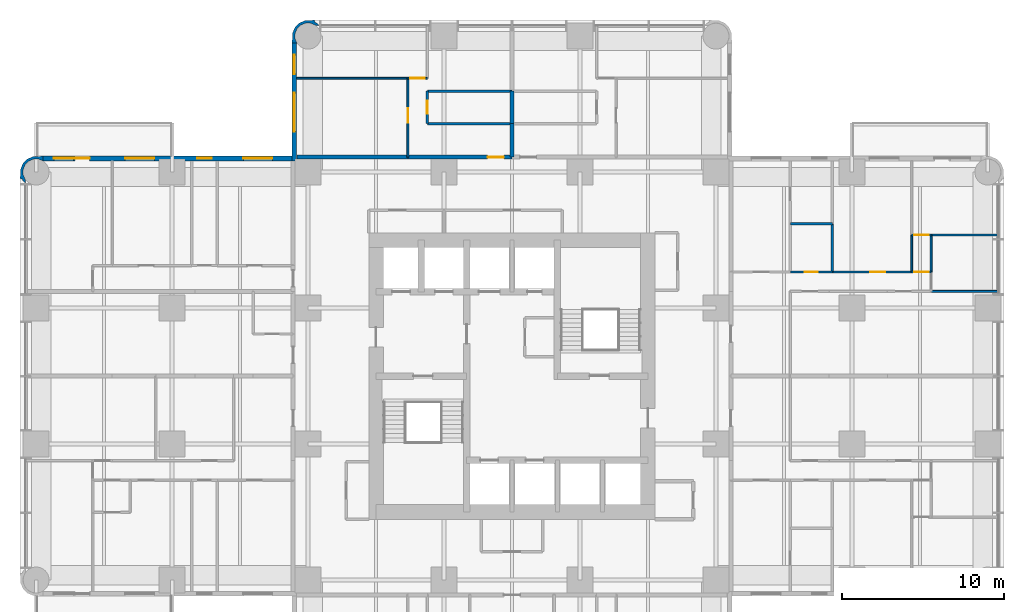
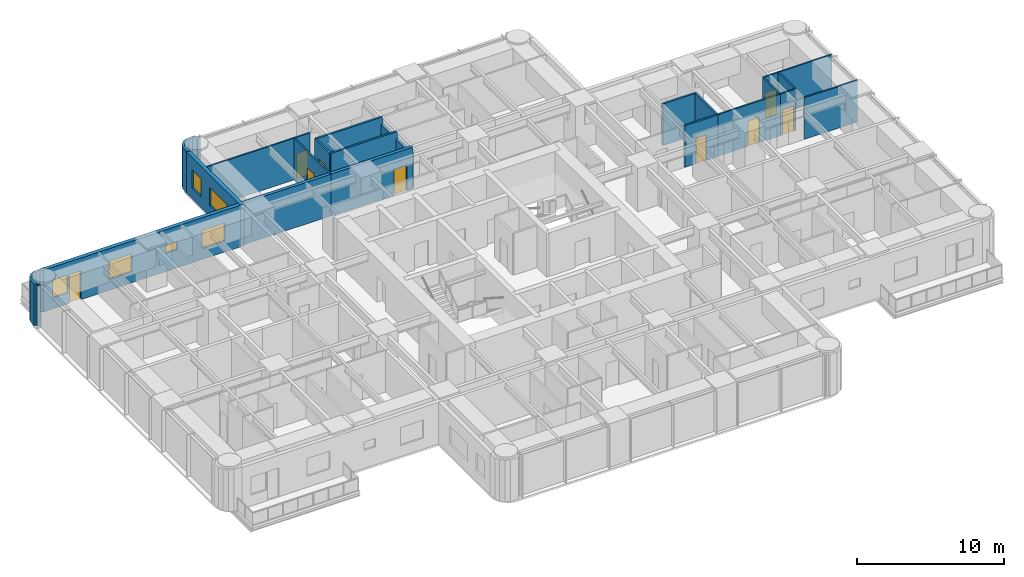
# One storey, part 11 of 15: 24 walls, 9 doors, 6 windows, 15 openings.
"""IFC4 building model written with IfcOpenShell, lengths in metres."""

import ifcopenshell
import ifcopenshell.guid

model = None  # the IFC model being written
_history = None  # IfcOwnerHistory: only IFC2X3 demands one
_inside = {}  # id of a spatial element -> (the spatial element, [elements in it])
_under = {}  # id of a project, library or spatial element -> (it, [spatial elements below it])
_declared = {}  # id of a project -> (the project, [libraries it declares])
_typed = {}  # id of a type object -> (the type object, [elements of that type])
_made_of = {}  # id of a material, layer set ... -> (it, [elements and type objects made of it])


def new_model(schema):
    """Start an empty IFC model of exactly this schema.

    Asked for "IFC4X3", IfcOpenShell would pick the latest addendum, in which some entities
    have other attributes; the version numbers below select the first issue.
    IFC2X3 requires an IfcOwnerHistory on every rooted entity: one is made here for all.
    """
    global model, _history
    if schema == "IFC4X3":
        model = ifcopenshell.file(schema_version=(4, 3, 0, 0))
    else:
        model = ifcopenshell.file(schema=schema)
    _inside.clear()
    _under.clear()
    _declared.clear()
    _typed.clear()
    _made_of.clear()
    _history = None
    if model.schema == "IFC2X3":
        org = make("IfcOrganization", Name="unknown")
        user = make(
            "IfcPersonAndOrganization",
            ThePerson=make("IfcPerson", FamilyName="unknown"),
            TheOrganization=org,
        )
        app = make(
            "IfcApplication",
            ApplicationDeveloper=org,
            Version="unknown",
            ApplicationFullName="unknown",
            ApplicationIdentifier="unknown",
        )
        _history = make(
            "IfcOwnerHistory",
            OwningUser=user,
            OwningApplication=app,
            ChangeAction="ADDED",
            CreationDate=0,
        )
    return model


def make(cls, **values):
    """One entity of the class cls with the attributes given. An attribute that is None is left unset."""
    return model.create_entity(
        cls, **{name: value for name, value in values.items() if value is not None}
    )


def rooted(cls, **values):
    """An entity with a GlobalId (a new one), such as an element, a storey or a relation."""
    return make(cls, GlobalId=ifcopenshell.guid.new(), OwnerHistory=_history, **values)


def si_unit(unit_type, name, prefix=None):
    """IfcSIUnit, for example si_unit("LENGTHUNIT", "METRE", prefix="MILLI")."""
    return make("IfcSIUnit", UnitType=unit_type, Prefix=prefix, Name=name)


def assignment(units):
    """IfcUnitAssignment: the units of a project."""
    return None if units is None else make("IfcUnitAssignment", Units=units)


def point(xyz):
    """IfcCartesianPoint."""
    return None if xyz is None else make("IfcCartesianPoint", Coordinates=xyz)


def direction(xyz):
    """IfcDirection."""
    return None if xyz is None else make("IfcDirection", DirectionRatios=xyz)


def frame(location, z_axis=None, x_axis=None):
    """IfcAxis2Placement3D, a coordinate frame: its origin and axes. An axis left out is left unset."""
    return make(
        "IfcAxis2Placement3D",
        Location=point(location),
        Axis=direction(z_axis),
        RefDirection=direction(x_axis),
    )


def frame_2d(location, x_axis=None):
    """IfcAxis2Placement2D, a coordinate frame in the plane: its origin and x axis."""
    return make(
        "IfcAxis2Placement2D", Location=point(location), RefDirection=direction(x_axis)
    )


def origin():
    """The frame at (0, 0, 0) with its axes left unset."""
    return frame((0.0, 0.0, 0.0))


def place(relative_to, where):
    """IfcLocalPlacement: puts the frame where relative to a parent placement (None: the world)."""
    return make(
        "IfcLocalPlacement", PlacementRelTo=relative_to, RelativePlacement=where
    )


def context(
    kind, dimensions, precision=None, world=None, true_north=None, identifier=None
):
    """IfcGeometricRepresentationContext, for example the 3D "Model" context."""
    return make(
        "IfcGeometricRepresentationContext",
        ContextIdentifier=identifier,
        ContextType=kind,
        CoordinateSpaceDimension=dimensions,
        Precision=precision,
        WorldCoordinateSystem=world,
        TrueNorth=true_north,
    )


def subcontext(parent, identifier, kind, view, scale=None):
    """IfcGeometricRepresentationSubContext, for example "Body" below "Model"."""
    return make(
        "IfcGeometricRepresentationSubContext",
        ContextIdentifier=identifier,
        ContextType=kind,
        ParentContext=parent,
        TargetScale=scale,
        TargetView=view,
    )


def project(units=None, contexts=None):
    """IfcProject with its units and contexts."""
    return rooted(
        "IfcProject",
        Name="project",
        RepresentationContexts=contexts,
        UnitsInContext=assignment(units),
    )


def spatial(cls, under=None, at=None, **own):
    """A site, building, storey or space (cls), placed at a placement, below another one or the project."""
    s = rooted(cls, ObjectPlacement=at, **own)
    if under is not None:
        _under.setdefault(under.id(), (under, []))[1].append(s)
    return s


def polyline(points):
    """IfcPolyline through the points."""
    return make("IfcPolyline", Points=[point(p) for p in points])


def profile(cls, at=None, kind="AREA", **sizes):
    """A parametric profile (cls). Its sizes go by their IFC names, for example OverallWidth=200.0."""
    return make(cls, ProfileType=kind, Position=at, **sizes)


def rectangle(**sizes):
    """IfcRectangleProfileDef."""
    return profile("IfcRectangleProfileDef", **sizes)


def outline(outer, holes=None, kind="AREA"):
    """IfcArbitraryClosedProfileDef: a profile drawn as a closed curve; with holes, ...WithVoids."""
    if holes is None:
        return make("IfcArbitraryClosedProfileDef", ProfileType=kind, OuterCurve=outer)
    return make(
        "IfcArbitraryProfileDefWithVoids",
        ProfileType=kind,
        OuterCurve=outer,
        InnerCurves=holes,
    )


def extrude(swept, where, along, depth):
    """IfcExtrudedAreaSolid: the profile swept, set in the frame where, extruded along a direction by depth."""
    return make(
        "IfcExtrudedAreaSolid",
        SweptArea=swept,
        Position=where,
        ExtrudedDirection=direction(along),
        Depth=depth,
    )


def shape(context_of_items, identifier, shape_type, items):
    """IfcShapeRepresentation: the items that make up one representation, for example the "Body"."""
    return make(
        "IfcShapeRepresentation",
        ContextOfItems=context_of_items,
        RepresentationIdentifier=identifier,
        RepresentationType=shape_type,
        Items=items,
    )


def material(Name=None, Category=None):
    """IfcMaterial."""
    return make("IfcMaterial", Name=Name, Category=Category)


def layer(
    of_material, thickness, ventilated=None, Name=None, Category=None, Priority=None
):
    """IfcMaterialLayer: one layer of a wall or slab, of a material (None: an air gap)."""
    return make(
        "IfcMaterialLayer",
        Material=of_material,
        LayerThickness=thickness,
        IsVentilated=ventilated,
        Name=Name,
        Category=Category,
        Priority=Priority,
    )


def layer_set(layers, Name=None):
    """IfcMaterialLayerSet."""
    return make("IfcMaterialLayerSet", MaterialLayers=layers, LayerSetName=Name)


def made_of(thing, what):
    """Note that an element or type object is made of a material, layer set ...; save() writes the relation."""
    if what is not None:
        _made_of.setdefault(what.id(), (what, []))[1].append(thing)
    return thing


def type_object(cls, material=None, **own):
    """A type object (cls), such as IfcWallType, which elements share."""
    return made_of(rooted(cls, **own), material)


def element(
    cls,
    number,
    at=None,
    inside=None,
    cuts=None,
    type_object=None,
    material=None,
    context=None,
    identifier="Body",
    shape_type=None,
    held_by="IfcProductDefinitionShape",
    body=None,
    shapes=None,
    **own,
):
    """One element of the class cls, such as IfcWall. Its Tag is "e" and its number.

    at: its placement. inside: the storey or other place that contains it. cuts: it is an
    opening in that element (IfcRelVoidsElement). A single representation is given by context,
    identifier, shape_type and body (its items); several are given by shapes. held_by: the class
    of the entity that holds the representations. save() writes the other relations.
    """
    e = rooted(cls, Tag="e%d" % number, ObjectPlacement=at, **own)
    if body is not None:
        shapes = [shape(context, identifier, shape_type, body)]
    if shapes is not None:
        e.Representation = make(held_by, Representations=shapes)
    if inside is not None:
        _inside.setdefault(inside.id(), (inside, []))[1].append(e)
    if cuts is not None:
        rooted(
            "IfcRelVoidsElement", RelatingBuildingElement=cuts, RelatedOpeningElement=e
        )
    if type_object is not None:
        _typed.setdefault(type_object.id(), (type_object, []))[1].append(e)
    return made_of(e, material)


def fill(opening, filler):
    """IfcRelFillsElement: the door or window that sits in an opening."""
    return rooted(
        "IfcRelFillsElement",
        RelatingOpeningElement=opening,
        RelatedBuildingElement=filler,
    )


def aggregate(whole, parts):
    """IfcRelAggregates: a whole, such as a stair, and the parts it consists of."""
    return rooted("IfcRelAggregates", RelatingObject=whole, RelatedObjects=parts)


def save(model, path):
    """Write the relations noted so far, then the file.

    IfcRelAggregates (storeys below a building ...), IfcRelContainedInSpatialStructure (elements
    in a storey), IfcRelDefinesByType, IfcRelAssociatesMaterial and IfcRelDeclares: one each for
    every whole, place, type object, material and project.
    """
    for whole, parts in _under.values():
        aggregate(whole, parts)
    for where, things in _inside.values():
        rooted(
            "IfcRelContainedInSpatialStructure",
            RelatedElements=things,
            RelatingStructure=where,
        )
    for kind, things in _typed.values():
        rooted("IfcRelDefinesByType", RelatedObjects=things, RelatingType=kind)
    for what, things in _made_of.values():
        rooted("IfcRelAssociatesMaterial", RelatedObjects=things, RelatingMaterial=what)
    for by, libraries in _declared.values():
        rooted("IfcRelDeclares", RelatingContext=by, RelatedDefinitions=libraries)
    model.write(path)


model = new_model("IFC4")

# Units and contexts
model_context = context("Model", 3, precision=1e-05, world=origin(), true_north=direction((0.0, 1.0)))
body_context = subcontext(model_context, "Body", "Model", "MODEL_VIEW")
ifc_project = project(units=[si_unit("LENGTHUNIT", "METRE"), si_unit("AREAUNIT", "SQUARE_METRE"), si_unit("VOLUMEUNIT", "CUBIC_METRE"), si_unit("PLANEANGLEUNIT", "RADIAN"), si_unit("MASSUNIT", "GRAM", prefix="KILO")], contexts=[model_context])

# Site, building, storey
site_placement = place(None, origin())
site = spatial("IfcSite", under=ifc_project, at=site_placement, CompositionType="ELEMENT")
building_placement = place(site_placement, origin())
building = spatial("IfcBuilding", under=site, at=building_placement, Name="Torre Alcanfor", CompositionType="ELEMENT")
storey_placement = place(building_placement, frame((0.0, 0.0, 119.699951171875)))
storey = spatial("IfcBuildingStorey", under=building, at=storey_placement, Name="L30", CompositionType="ELEMENT", Elevation=119.699951171875)

# Wall, opening, door
ifc_material_1 = material(Name="Concrete block masonry, hollow blocks NMX-C-404 9 MPa", Category="masonry")
ifc_layer_1 = layer(ifc_material_1, 0.25)
ifc_layer_set_1 = layer_set([ifc_layer_1], Name="Apartment entrance wall 250 EI 60")
wall_type_1 = type_object("IfcWallType", Name="Apartment entrance wall 250 EI 60", PredefinedType="PARTITIONING", material=ifc_layer_set_1)
wall_1_placement = place(storey_placement, frame((22.970947265625, 42.925048828125, 0.0), z_axis=(0.0, 0.0, 1.0), x_axis=(1.0, 0.0, 0.0)))
wall_1 = element("IfcWall", 1, at=wall_1_placement, inside=storey, type_object=wall_type_1, Name="Partition L30-CORR / L30-N1-LIVING", PredefinedType="PARTITIONING", context=body_context, shape_type="SweptSolid", body=[
    extrude(rectangle(XDim=6.428955078125, YDim=0.25, at=frame_2d((3.21435546875, 0.0))), origin(), (0.0, 0.0, 1.0), 3.449951171875),
])
opening_1_placement = place(wall_1_placement, frame((4.928955078125, 0.0, 0.0)))
opening_1 = element("IfcOpeningElement", 2, at=opening_1_placement, cuts=wall_1, Name="Opening D-A1", PredefinedType="OPENING", context=body_context, shape_type="SweptSolid", body=[
    extrude(rectangle(XDim=1.0, YDim=2.10009765625, at=frame_2d((0.5, 1.050048828125))), frame((0.0, 0.135009765625, 0.0), z_axis=(0.0, -1.0, 0.0), x_axis=(1.0, 0.0, 0.0)), (0.0, 0.0, 1.0), 0.27001953125),
])
ifc_material_2 = material(Name="Galvanised steel sheet ASTM A653", Category="steel")
door_type_1 = type_object("IfcDoorType", Name="Apartment entrance door FD60 1000x2100", OperationType="SINGLE_SWING_LEFT", PredefinedType="DOOR", material=ifc_material_2)
door_1_placement = place(opening_1_placement, origin())
door_1 = element("IfcDoor", 3, at=door_1_placement, inside=storey, type_object=door_type_1, Name="Apartment entrance L30-N1", OperationType="SINGLE_SWING_RIGHT", OverallHeight=2.10009765625, OverallWidth=1.0, PredefinedType="DOOR", context=body_context, shape_type="SweptSolid", body=[
    extrude(rectangle(XDim=1.0, YDim=2.10009765625, at=frame_2d((0.5, 1.050048828125))), frame((0.0, 0.02490234375, 0.0), z_axis=(0.0, -1.0, 0.0), x_axis=(1.0, 0.0, 0.0)), (0.0, 0.0, 1.0), 0.050048828125),
])
fill(opening_1, door_1)

# Wall
wall_2_placement = place(storey_placement, frame((16.10009765625, 42.925048828125, 0.0), z_axis=(0.0, 0.0, 1.0), x_axis=(1.0, 0.0, 0.0)))
element("IfcWall", 4, at=wall_2_placement, inside=storey, type_object=wall_type_1, Name="Partition L30-CORR / L30-N1-BED2", PredefinedType="PARTITIONING", context=body_context, shape_type="SweptSolid", body=[
    extrude(rectangle(XDim=6.870849609375, YDim=0.25, at=frame_2d((3.435546875, 0.0))), origin(), (0.0, 0.0, 1.0), 3.449951171875),
])

# Wall, opening, door
ifc_material_3 = material(Name="Gypsum board on steel studs", Category="steel")
ifc_layer_2 = layer(ifc_material_3, 0.1201171875)
ifc_layer_set_2 = layer_set([ifc_layer_2], Name="Apartment partition 120")
wall_type_2 = type_object("IfcWallType", Name="Apartment partition 120", PredefinedType="PARTITIONING", material=ifc_layer_set_2)
wall_3_placement = place(storey_placement, frame((22.970947265625, 42.925048828125, 0.0), z_axis=(0.0, 0.0, 1.0), x_axis=(0.0, 1.0, 0.0)))
wall_3 = element("IfcWall", 5, at=wall_3_placement, inside=storey, type_object=wall_type_2, Name="Partition L30-N1-LIVING / L30-N1-BED2", PredefinedType="PARTITIONING", context=body_context, shape_type="SweptSolid", body=[
    extrude(rectangle(XDim=4.875, YDim=0.1201171875, at=frame_2d((2.4375, 0.0))), origin(), (0.0, 0.0, 1.0), 3.449951171875),
])
opening_2_placement = place(wall_3_placement, frame((2.125, 0.0, 0.0)))
opening_2 = element("IfcOpeningElement", 6, at=opening_2_placement, cuts=wall_3, Name="Opening D-R1", PredefinedType="OPENING", context=body_context, shape_type="SweptSolid", body=[
    extrude(rectangle(XDim=0.89990234375, YDim=2.10009765625, at=frame_2d((0.449951171875, 1.050048828125))), frame((0.0, 0.070068359375, 0.0), z_axis=(0.0, -1.0, 0.0), x_axis=(1.0, 0.0, 0.0)), (0.0, 0.0, 1.0), 0.14013671875),
])
ifc_material_4 = material(Name="Timber", Category="wood")
door_type_2 = type_object("IfcDoorType", Name="Internal door 900x2100", OperationType="SINGLE_SWING_LEFT", PredefinedType="DOOR", material=ifc_material_4)
door_2_placement = place(opening_2_placement, origin())
door_2 = element("IfcDoor", 7, at=door_2_placement, inside=storey, type_object=door_type_2, Name="Door L30-N1 bed2", OperationType="SINGLE_SWING_RIGHT", OverallHeight=2.10009765625, OverallWidth=0.89990234375, PredefinedType="DOOR", context=body_context, shape_type="SweptSolid", body=[
    extrude(rectangle(XDim=0.89990234375, YDim=2.10009765625, at=frame_2d((0.449951171875, 1.050048828125))), frame((0.0, 0.02490234375, 0.0), z_axis=(0.0, -1.0, 0.0), x_axis=(1.0, 0.0, 0.0)), (0.0, 0.0, 1.0), 0.050048828125),
])
fill(opening_2, door_2)

wall_4_placement = place(storey_placement, frame((22.970947265625, 47.800048828125, 0.0), z_axis=(0.0, 0.0, 1.0), x_axis=(1.0, 0.0, 0.0)))
wall_4 = element("IfcWall", 8, at=wall_4_placement, inside=storey, type_object=wall_type_2, Name="Partition L30-N1-LIVING / L30-N1-MASTER", PredefinedType="PARTITIONING", context=body_context, shape_type="SweptSolid", body=[
    extrude(rectangle(XDim=1.199951171875, YDim=0.1201171875, at=frame_2d((0.60009765625, 0.0))), origin(), (0.0, 0.0, 1.0), 3.449951171875),
])
opening_3_placement = place(wall_4_placement, frame((0.14892578125, 0.0, 0.0)))
opening_3 = element("IfcOpeningElement", 9, at=opening_3_placement, cuts=wall_4, Name="Opening D-R1", PredefinedType="OPENING", context=body_context, shape_type="SweptSolid", body=[
    extrude(rectangle(XDim=0.89990234375, YDim=2.10009765625, at=frame_2d((0.449951171875, 1.050048828125))), frame((0.0, 0.070068359375, 0.0), z_axis=(0.0, -1.0, 0.0), x_axis=(1.0, 0.0, 0.0)), (0.0, 0.0, 1.0), 0.14013671875),
])
door_3_placement = place(opening_3_placement, origin())
door_3 = element("IfcDoor", 10, at=door_3_placement, inside=storey, type_object=door_type_2, Name="Door L30-N1 master", OperationType="SINGLE_SWING_RIGHT", OverallHeight=2.10009765625, OverallWidth=0.89990234375, PredefinedType="DOOR", context=body_context, shape_type="SweptSolid", body=[
    extrude(rectangle(XDim=0.89990234375, YDim=2.10009765625, at=frame_2d((0.449951171875, 1.050048828125))), frame((0.0, 0.02490234375, 0.0), z_axis=(0.0, -1.0, 0.0), x_axis=(1.0, 0.0, 0.0)), (0.0, 0.0, 1.0), 0.050048828125),
])
fill(opening_3, door_3)

# Walls
wall_5_placement = place(storey_placement, frame((22.970947265625, 47.800048828125, 0.0), z_axis=(0.0, 0.0, 1.0), x_axis=(-1.0, 0.0, 0.0)))
element("IfcWall", 11, at=wall_5_placement, inside=storey, type_object=wall_type_2, Name="Partition L30-N1-BED2 / L30-N1-MASTER", PredefinedType="PARTITIONING", context=body_context, shape_type="SweptSolid", body=[
    extrude(rectangle(XDim=6.870849609375, YDim=0.1201171875, at=frame_2d((3.435546875, 0.0))), origin(), (0.0, 0.0, 1.0), 3.449951171875),
])
wall_6_placement = place(storey_placement, frame((59.449951171875, 34.62890625, 0.0), z_axis=(0.0, 0.0, 1.0), x_axis=(-1.0, 0.0, 0.0)))
element("IfcWall", 12, at=wall_6_placement, inside=storey, type_object=wall_type_2, Name="Partition L30-E1-LIVING / L30-E1-BED2", PredefinedType="PARTITIONING", context=body_context, shape_type="SweptSolid", body=[
    extrude(rectangle(XDim=4.14990234375, YDim=0.1201171875, at=frame_2d((2.074951171875, 0.0))), origin(), (0.0, 0.0, 1.0), 3.449951171875),
])

# Wall, opening, door
wall_7_placement = place(storey_placement, frame((54.10009765625, 35.8291015625, 0.0), z_axis=(0.0, 0.0, 1.0), x_axis=(-1.0, 0.0, 0.0)))
wall_7 = element("IfcWall", 13, at=wall_7_placement, inside=storey, type_object=wall_type_2, Name="Partition L30-E1-HALL / L30-E1-BED3", PredefinedType="PARTITIONING", context=body_context, shape_type="SweptSolid", body=[
    extrude(rectangle(XDim=4.900146484375, YDim=0.1201171875, at=frame_2d((2.4501953125, 0.0))), origin(), (0.0, 0.0, 1.0), 3.449951171875),
])
opening_4_placement = place(wall_7_placement, frame((1.64990234375, 0.0, 0.0)))
opening_4 = element("IfcOpeningElement", 14, at=opening_4_placement, cuts=wall_7, Name="Opening D-R1", PredefinedType="OPENING", context=body_context, shape_type="SweptSolid", body=[
    extrude(rectangle(XDim=0.89990234375, YDim=2.10009765625, at=frame_2d((0.449951171875, 1.050048828125))), frame((0.0, 0.070068359375, 0.0), z_axis=(0.0, -1.0, 0.0), x_axis=(1.0, 0.0, 0.0)), (0.0, 0.0, 1.0), 0.14013671875),
])
door_4_placement = place(opening_4_placement, frame((0.89990234375, 0.0, 0.0), z_axis=(0.0, 0.0, 1.0), x_axis=(-1.0, 0.0, 0.0)))
door_4 = element("IfcDoor", 15, at=door_4_placement, inside=storey, type_object=door_type_2, Name="Door L30-E1 bed3", OperationType="SINGLE_SWING_RIGHT", OverallHeight=2.10009765625, OverallWidth=0.89990234375, PredefinedType="DOOR", context=body_context, shape_type="SweptSolid", body=[
    extrude(rectangle(XDim=0.89990234375, YDim=2.10009765625, at=frame_2d((0.449951171875, 1.050048828125))), frame((0.0, 0.025146484375, 0.0), z_axis=(0.0, -1.0, 0.0), x_axis=(1.0, 0.0, 0.0)), (0.0, 0.0, 1.0), 0.050048828125),
])
fill(opening_4, door_4)

wall_8_placement = place(storey_placement, frame((55.300048828125, 35.8291015625, 0.0), z_axis=(0.0, 0.0, 1.0), x_axis=(-1.0, 0.0, 0.0)))
wall_8 = element("IfcWall", 16, at=wall_8_placement, inside=storey, type_object=wall_type_2, Name="Partition L30-E1-HALL / L30-E1-VEST", PredefinedType="PARTITIONING", context=body_context, shape_type="SweptSolid", body=[
    extrude(rectangle(XDim=1.199951171875, YDim=0.1201171875, at=frame_2d((0.60009765625, 0.0))), origin(), (0.0, 0.0, 1.0), 3.449951171875),
])
opening_5_placement = place(wall_8_placement, frame((0.14990234375, 0.0, 0.0)))
opening_5 = element("IfcOpeningElement", 17, at=opening_5_placement, cuts=wall_8, Name="Opening D-R1", PredefinedType="OPENING", context=body_context, shape_type="SweptSolid", body=[
    extrude(rectangle(XDim=0.89990234375, YDim=2.10009765625, at=frame_2d((0.449951171875, 1.050048828125))), frame((0.0, 0.070068359375, 0.0), z_axis=(0.0, -1.0, 0.0), x_axis=(1.0, 0.0, 0.0)), (0.0, 0.0, 1.0), 0.14013671875),
])
door_5_placement = place(opening_5_placement, frame((0.89990234375, 0.0, 0.0), z_axis=(0.0, 0.0, 1.0), x_axis=(-1.0, 0.0, 0.0)))
door_5 = element("IfcDoor", 18, at=door_5_placement, inside=storey, type_object=door_type_2, Name="Door L30-E1 vest", OperationType="SINGLE_SWING_RIGHT", OverallHeight=2.10009765625, OverallWidth=0.89990234375, PredefinedType="DOOR", context=body_context, shape_type="SweptSolid", body=[
    extrude(rectangle(XDim=0.89990234375, YDim=2.10009765625, at=frame_2d((0.449951171875, 1.050048828125))), frame((0.0, 0.025146484375, 0.0), z_axis=(0.0, -1.0, 0.0), x_axis=(1.0, 0.0, 0.0)), (0.0, 0.0, 1.0), 0.050048828125),
])
fill(opening_5, door_5)

# Walls
for number, where, z_axis, x_axis, name in (
    (19, (54.10009765625, 35.8291015625, 0.0), (0.0, 0.0, 1.0), (0.0, 1.0, 0.0), "Partition L30-E1-BED3 / L30-E1-VEST"),
    (20, (55.300048828125, 35.8291015625, 0.0), (0.0, 0.0, 1.0), (0.0, 1.0, 0.0), "Partition L30-E1-VEST / L30-E1-BED2"),
):
    element("IfcWall", number, at=place(storey_placement, frame(where, z_axis=z_axis, x_axis=x_axis)), inside=storey, type_object=wall_type_2, Name=name, PredefinedType="PARTITIONING", context=body_context, shape_type="SweptSolid", body=[
        extrude(rectangle(XDim=2.284912109375, YDim=0.1201171875, at=frame_2d((1.142578125, 0.0))), origin(), (0.0, 0.0, 1.0), 3.449951171875),
    ])

# Wall, opening, door
wall_9_placement = place(storey_placement, frame((55.300048828125, 38.114013671875, 0.0), z_axis=(0.0, 0.0, 1.0), x_axis=(-1.0, 0.0, 0.0)))
wall_9 = element("IfcWall", 21, at=wall_9_placement, inside=storey, type_object=wall_type_2, Name="Partition L30-E1-VEST / L30-E1-MASTER", PredefinedType="PARTITIONING", context=body_context, shape_type="SweptSolid", body=[
    extrude(rectangle(XDim=1.199951171875, YDim=0.1201171875, at=frame_2d((0.60009765625, 0.0))), origin(), (0.0, 0.0, 1.0), 3.449951171875),
])
opening_6_placement = place(wall_9_placement, frame((0.14990234375, 0.0, 0.0)))
opening_6 = element("IfcOpeningElement", 22, at=opening_6_placement, cuts=wall_9, Name="Opening D-R1", PredefinedType="OPENING", context=body_context, shape_type="SweptSolid", body=[
    extrude(rectangle(XDim=0.89990234375, YDim=2.10009765625, at=frame_2d((0.449951171875, 1.050048828125))), frame((0.0, 0.070068359375, 0.0), z_axis=(0.0, -1.0, 0.0), x_axis=(1.0, 0.0, 0.0)), (0.0, 0.0, 1.0), 0.14013671875),
])
door_6_placement = place(opening_6_placement, origin())
door_6 = element("IfcDoor", 23, at=door_6_placement, inside=storey, type_object=door_type_2, Name="Door L30-E1 master", OperationType="SINGLE_SWING_LEFT", OverallHeight=2.10009765625, OverallWidth=0.89990234375, PredefinedType="DOOR", context=body_context, shape_type="SweptSolid", body=[
    extrude(rectangle(XDim=0.89990234375, YDim=2.10009765625, at=frame_2d((0.449951171875, 1.050048828125))), frame((0.0, 0.02490234375, 0.0), z_axis=(0.0, -1.0, 0.0), x_axis=(1.0, 0.0, 0.0)), (0.0, 0.0, 1.0), 0.050048828125),
])
fill(opening_6, door_6)

# Wall
wall_10_placement = place(storey_placement, frame((59.449951171875, 38.114013671875, 0.0), z_axis=(0.0, 0.0, 1.0), x_axis=(-1.0, 0.0, 0.0)))
element("IfcWall", 24, at=wall_10_placement, inside=storey, type_object=wall_type_2, Name="Partition L30-E1-BED2 / L30-E1-MASTER", PredefinedType="PARTITIONING", context=body_context, shape_type="SweptSolid", body=[
    extrude(rectangle(XDim=4.14990234375, YDim=0.1201171875, at=frame_2d((2.074951171875, 0.0))), origin(), (0.0, 0.0, 1.0), 3.449951171875),
])

# Wall, openings, door, windows
ifc_material_5 = material(Name="Limestone cladding", Category="masonry")
ifc_layer_3 = layer(ifc_material_5, 0.0400390625, Name="Facing")
ifc_material_6 = material(Name="Ventilated air cavity")
ifc_layer_4 = layer(ifc_material_6, 0.02001953125, ventilated=True, Name="Ventilated joint")
ifc_material_7 = material(Name="Mineral wool insulation", Category="insulation")
ifc_layer_5 = layer(ifc_material_7, 0.10009765625, Name="Insulation")
ifc_material_8 = material(Name="Concrete f'c 35 MPa", Category="concrete")
ifc_layer_6 = layer(ifc_material_8, 0.139892578125, Name="Backing")
ifc_layer_set_3 = layer_set([ifc_layer_3, ifc_layer_4, ifc_layer_5, ifc_layer_6], Name="External wall stone-clad 300")
wall_type_3 = type_object("IfcWallType", Name="External wall stone-clad 300", PredefinedType="SOLIDWALL", material=ifc_layer_set_3)
wall_11_placement = place(storey_placement, frame((15.800048828125, 42.85009765625, 0.0), z_axis=(0.0, 0.0, 1.0), x_axis=(-1.0, 0.0, 0.0)))
wall_11 = element("IfcWall", 25, at=wall_11_placement, inside=storey, type_object=wall_type_3, Name="External wall L30 1", PredefinedType="SOLIDWALL", context=body_context, shape_type="SweptSolid", body=[
    extrude(rectangle(XDim=15.400146484375, YDim=0.300048828125, at=frame_2d((7.7001953125, 0.0))), origin(), (0.0, 0.0, 1.0), 3.449951171875),
])
opening_7_placement = place(wall_11_placement, frame((1.199951171875, 0.0, 0.89990234375)))
opening_7 = element("IfcOpeningElement", 26, at=opening_7_placement, cuts=wall_11, Name="Opening W2", PredefinedType="OPENING", context=body_context, shape_type="SweptSolid", body=[
    extrude(rectangle(XDim=1.800048828125, YDim=1.5, at=frame_2d((0.89990234375, 0.75))), frame((0.0, 0.159912109375, 0.0), z_axis=(0.0, -1.0, 0.0), x_axis=(1.0, 0.0, 0.0)), (0.0, 0.0, 1.0), 0.320068359375),
])
opening_8_placement = place(wall_11_placement, frame((4.949951171875, 0.0, 1.5)))
opening_8 = element("IfcOpeningElement", 27, at=opening_8_placement, cuts=wall_11, Name="Opening W3", PredefinedType="OPENING", context=body_context, shape_type="SweptSolid", body=[
    extrude(rectangle(XDim=0.89990234375, YDim=0.699951171875, at=frame_2d((0.449951171875, 0.35009765625))), frame((0.0, 0.159912109375, 0.0), z_axis=(0.0, -1.0, 0.0), x_axis=(1.0, 0.0, 0.0)), (0.0, 0.0, 1.0), 0.320068359375),
])
opening_9_placement = place(wall_11_placement, frame((8.5, 0.0, 0.89990234375)))
opening_9 = element("IfcOpeningElement", 28, at=opening_9_placement, cuts=wall_11, Name="Opening W2", PredefinedType="OPENING", context=body_context, shape_type="SweptSolid", body=[
    extrude(rectangle(XDim=1.800048828125, YDim=1.5, at=frame_2d((0.89990234375, 0.75))), frame((0.0, 0.159912109375, 0.0), z_axis=(0.0, -1.0, 0.0), x_axis=(1.0, 0.0, 0.0)), (0.0, 0.0, 1.0), 0.320068359375),
])
opening_10_placement = place(wall_11_placement, frame((12.5, 0.0, 0.0)))
opening_10 = element("IfcOpeningElement", 29, at=opening_10_placement, cuts=wall_11, Name="Opening D-B1", PredefinedType="OPENING", context=body_context, shape_type="SweptSolid", body=[
    extrude(rectangle(XDim=0.89990234375, YDim=2.39990234375, at=frame_2d((0.449951171875, 1.199951171875))), frame((0.0, 0.159912109375, 0.0), z_axis=(0.0, -1.0, 0.0), x_axis=(1.0, 0.0, 0.0)), (0.0, 0.0, 1.0), 0.320068359375),
])
opening_11_placement = place(wall_11_placement, frame((13.5, 0.0, 0.89990234375)))
opening_11 = element("IfcOpeningElement", 30, at=opening_11_placement, cuts=wall_11, Name="Opening W4", PredefinedType="OPENING", context=body_context, shape_type="SweptSolid", body=[
    extrude(rectangle(XDim=1.199951171875, YDim=1.5, at=frame_2d((0.60009765625, 0.75))), frame((0.0, 0.159912109375, 0.0), z_axis=(0.0, -1.0, 0.0), x_axis=(1.0, 0.0, 0.0)), (0.0, 0.0, 1.0), 0.320068359375),
])
ifc_material_9 = material(Name="Aluminium and glass", Category="aluminium")
door_type_3 = type_object("IfcDoorType", Name="Balcony door glazed 900x2400", OperationType="SINGLE_SWING_LEFT", PredefinedType="DOOR", material=ifc_material_9)
door_7_placement = place(opening_10_placement, origin())
door_7 = element("IfcDoor", 31, at=door_7_placement, inside=storey, type_object=door_type_3, Name="Balcony door L30-W2", OperationType="SINGLE_SWING_LEFT", OverallHeight=2.39990234375, OverallWidth=0.89990234375, PredefinedType="DOOR", context=body_context, shape_type="SweptSolid", body=[
    extrude(rectangle(XDim=0.89990234375, YDim=2.39990234375, at=frame_2d((0.449951171875, 1.199951171875))), frame((0.0, 0.02490234375, 0.0), z_axis=(0.0, -1.0, 0.0), x_axis=(1.0, 0.0, 0.0)), (0.0, 0.0, 1.0), 0.050048828125),
])
fill(opening_10, door_7)
ifc_material_10 = material(Name="Aluminium frame with clear double glazing", Category="aluminium")
window_type_1 = type_object("IfcWindowType", Name="Window bathroom 900x700", PartitioningType="SINGLE_PANEL", PredefinedType="WINDOW", material=ifc_material_10)
window_1_placement = place(opening_8_placement, origin())
window_1 = element("IfcWindow", 32, at=window_1_placement, inside=storey, type_object=window_type_1, Name="Window W3 L30-W2", OverallHeight=0.699951171875, OverallWidth=0.89990234375, PartitioningType="SINGLE_PANEL", PredefinedType="WINDOW", context=body_context, shape_type="SweptSolid", body=[
    extrude(rectangle(XDim=0.89990234375, YDim=0.699951171875, at=frame_2d((0.449951171875, 0.35009765625))), frame((0.0, 0.030029296875, 0.0), z_axis=(0.0, -1.0, 0.0), x_axis=(1.0, 0.0, 0.0)), (0.0, 0.0, 1.0), 0.06005859375),
])
fill(opening_8, window_1)
ifc_material_11 = material(Name="Aluminium frame with clear double glazing", Category="aluminium")
window_type_2 = type_object("IfcWindowType", Name="Window bedroom 1200x1500", PartitioningType="SINGLE_PANEL", PredefinedType="WINDOW", material=ifc_material_11)
window_2_placement = place(opening_11_placement, origin())
window_2 = element("IfcWindow", 33, at=window_2_placement, inside=storey, type_object=window_type_2, Name="Window W4 L30-W2", OverallHeight=1.5, OverallWidth=1.199951171875, PartitioningType="SINGLE_PANEL", PredefinedType="WINDOW", context=body_context, shape_type="SweptSolid", body=[
    extrude(rectangle(XDim=1.199951171875, YDim=1.5, at=frame_2d((0.60009765625, 0.75))), frame((0.0, 0.030029296875, 0.0), z_axis=(0.0, -1.0, 0.0), x_axis=(1.0, 0.0, 0.0)), (0.0, 0.0, 1.0), 0.06005859375),
])
fill(opening_11, window_2)
ifc_material_12 = material(Name="Aluminium frame with clear double glazing", Category="aluminium")
window_type_3 = type_object("IfcWindowType", Name="Window bedroom 1800x1500", PartitioningType="SINGLE_PANEL", PredefinedType="WINDOW", material=ifc_material_12)
window_3_placement = place(opening_7_placement, origin())
window_3 = element("IfcWindow", 34, at=window_3_placement, inside=storey, type_object=window_type_3, Name="Window W2 L30-W2", OverallHeight=1.5, OverallWidth=1.800048828125, PartitioningType="SINGLE_PANEL", PredefinedType="WINDOW", context=body_context, shape_type="SweptSolid", body=[
    extrude(rectangle(XDim=1.800048828125, YDim=1.5, at=frame_2d((0.89990234375, 0.75))), frame((0.0, 0.030029296875, 0.0), z_axis=(0.0, -1.0, 0.0), x_axis=(1.0, 0.0, 0.0)), (0.0, 0.0, 1.0), 0.06005859375),
])
fill(opening_7, window_3)
window_4_placement = place(opening_9_placement, origin())
window_4 = element("IfcWindow", 35, at=window_4_placement, inside=storey, type_object=window_type_3, Name="Window W2 L30-W2", OverallHeight=1.5, OverallWidth=1.800048828125, PartitioningType="SINGLE_PANEL", PredefinedType="WINDOW", context=body_context, shape_type="SweptSolid", body=[
    extrude(rectangle(XDim=1.800048828125, YDim=1.5, at=frame_2d((0.89990234375, 0.75))), frame((0.0, 0.030029296875, 0.0), z_axis=(0.0, -1.0, 0.0), x_axis=(1.0, 0.0, 0.0)), (0.0, 0.0, 1.0), 0.06005859375),
])
fill(opening_9, window_4)

# Wall, openings, windows
wall_12_placement = place(storey_placement, frame((15.949951171875, 50.0, 0.0), z_axis=(0.0, 0.0, 1.0), x_axis=(0.0, -1.0, 0.0)))
wall_12 = element("IfcWall", 36, at=wall_12_placement, inside=storey, type_object=wall_type_3, Name="External wall L30 12", PredefinedType="SOLIDWALL", context=body_context, shape_type="SweptSolid", body=[
    extrude(rectangle(XDim=7.300048828125, YDim=0.300048828125, at=frame_2d((3.64990234375, 0.0))), origin(), (0.0, 0.0, 1.0), 3.449951171875),
])
opening_12_placement = place(wall_12_placement, frame((3.10009765625, 0.0, 0.89990234375)))
opening_12 = element("IfcOpeningElement", 37, at=opening_12_placement, cuts=wall_12, Name="Opening W1", PredefinedType="OPENING", context=body_context, shape_type="SweptSolid", body=[
    extrude(rectangle(XDim=2.39990234375, YDim=1.5, at=frame_2d((1.199951171875, 0.75))), frame((0.0, 0.159912109375, 0.0), z_axis=(0.0, -1.0, 0.0), x_axis=(1.0, 0.0, 0.0)), (0.0, 0.0, 1.0), 0.320068359375),
])
opening_13_placement = place(wall_12_placement, frame((0.75, 0.0, 0.89990234375)))
opening_13 = element("IfcOpeningElement", 38, at=opening_13_placement, cuts=wall_12, Name="Opening W4", PredefinedType="OPENING", context=body_context, shape_type="SweptSolid", body=[
    extrude(rectangle(XDim=1.199951171875, YDim=1.5, at=frame_2d((0.60009765625, 0.75))), frame((0.0, 0.159912109375, 0.0), z_axis=(0.0, -1.0, 0.0), x_axis=(1.0, 0.0, 0.0)), (0.0, 0.0, 1.0), 0.320068359375),
])
window_5_placement = place(opening_13_placement, origin())
window_5 = element("IfcWindow", 39, at=window_5_placement, inside=storey, type_object=window_type_2, Name="Window W4 L30-N1", OverallHeight=1.5, OverallWidth=1.199951171875, PartitioningType="SINGLE_PANEL", PredefinedType="WINDOW", context=body_context, shape_type="SweptSolid", body=[
    extrude(rectangle(XDim=1.199951171875, YDim=1.5, at=frame_2d((0.60009765625, 0.75))), frame((0.0, 0.030029296875, 0.0), z_axis=(0.0, -1.0, 0.0), x_axis=(1.0, 0.0, 0.0)), (0.0, 0.0, 1.0), 0.06005859375),
])
fill(opening_13, window_5)
ifc_material_13 = material(Name="Aluminium frame with clear double glazing", Category="aluminium")
window_type_4 = type_object("IfcWindowType", Name="Window bedroom 2400x1500", PartitioningType="SINGLE_PANEL", PredefinedType="WINDOW", material=ifc_material_13)
window_6_placement = place(opening_12_placement, origin())
window_6 = element("IfcWindow", 40, at=window_6_placement, inside=storey, type_object=window_type_4, Name="Window W1 L30-N1", OverallHeight=1.5, OverallWidth=2.39990234375, PartitioningType="SINGLE_PANEL", PredefinedType="WINDOW", context=body_context, shape_type="SweptSolid", body=[
    extrude(rectangle(XDim=2.39990234375, YDim=1.5, at=frame_2d((1.199951171875, 0.75))), frame((0.0, 0.030029296875, 0.0), z_axis=(0.0, -1.0, 0.0), x_axis=(1.0, 0.0, 0.0)), (0.0, 0.0, 1.0), 0.06005859375),
])
fill(opening_12, window_6)

# Walls
ifc_material_14 = material(Name="Concrete block masonry, hollow blocks NMX-C-404 9 MPa", Category="masonry")
ifc_layer_7 = layer(ifc_material_14, 0.25)
ifc_layer_set_4 = layer_set([ifc_layer_7], Name="Party wall 250 EI 60")
wall_type_4 = type_object("IfcWallType", Name="Party wall 250 EI 60", PredefinedType="PARTITIONING", material=ifc_layer_set_4)
wall_13_placement = place(storey_placement, frame((29.39990234375, 45.0, 0.0), z_axis=(0.0, 0.0, 1.0), x_axis=(0.0, 1.0, 0.0)))
element("IfcWall", 41, at=wall_13_placement, inside=storey, type_object=wall_type_4, Name="Partition L30-N1-BATH / L30-N2-BATH", PredefinedType="PARTITIONING", context=body_context, shape_type="SweptSolid", body=[
    extrude(rectangle(XDim=2.0, YDim=0.25, at=frame_2d((1.0, 0.0))), origin(), (0.0, 0.0, 1.0), 2.84814453125),
])
wall_14_placement = place(storey_placement, frame((29.39990234375, 45.0, 0.0), z_axis=(0.0, 0.0, 1.0), x_axis=(0.0, -1.0, 0.0)))
element("IfcWall", 42, at=wall_14_placement, inside=storey, type_object=wall_type_4, Name="Partition L30-N1-LIVING / L30-N2-LIVING", PredefinedType="PARTITIONING", context=body_context, shape_type="SweptSolid", body=[
    extrude(rectangle(XDim=2.074951171875, YDim=0.25, at=frame_2d((1.03759765625, 0.0))), origin(), (0.0, 0.0, 1.0), 2.84814453125),
])
ifc_layer_8 = layer(ifc_material_5, 0.0400390625, Name="Facing")
ifc_layer_9 = layer(ifc_material_6, 0.02001953125, ventilated=True, Name="Ventilated joint")
ifc_layer_10 = layer(ifc_material_7, 0.10009765625, Name="Insulation")
ifc_layer_11 = layer(ifc_material_8, 0.139892578125, Name="Backing")
ifc_layer_set_5 = layer_set([ifc_layer_8, ifc_layer_9, ifc_layer_10, ifc_layer_11], Name="Rounded corner pier stone-clad 300")
wall_type_5 = type_object("IfcWallType", Name="Rounded corner pier stone-clad 300", PredefinedType="SOLIDWALL", material=ifc_layer_set_5)
wall_15_placement = place(storey_placement, frame((0.326823795, 42.817059488, 0.0), z_axis=(0.0, 0.0, 1.0), x_axis=(-0.93923434088, 0.343276641956, 0.0)))
element("IfcWall", 43, at=wall_15_placement, inside=storey, type_object=wall_type_5, Name="Corner pier L30 13", PredefinedType="SOLIDWALL", context=body_context, shape_type="SweptSolid", body=[
    extrude(outline(polyline([(-0.005838677930572508, -0.19691017002240385), (0.2656725893480827, -0.05504723679548061), (0.5353355739365452, 0.04351070532859805), (0.8164808166219237, 0.3019667887790936), (0.9774010351300944, 0.6482698031873169), (0.9936526519661447, 1.0298167590229048), (0.8950947098420661, 1.2994797436113674), (0.8284439015683875, 1.5984799607341533), (0.6967504599124257, 1.5690632792769885), (0.6041212101125378, 1.6695954267902182), (0.39402236502400456, 1.7672242392847775), (0.4711255170258348, 1.5562634010012864), (0.5086990809760941, 1.538803702790635), (0.7241945805605172, 1.30408163961566), (0.8334799177457201, 1.0050675818747117), (0.8201287688443563, 0.6867053603325339), (0.6856890926223405, 0.3973889179155373), (0.4509670294473655, 0.1818934183311141), (0.15195297170641725, 0.07260808114591123), (-0.11630424425966698, 0.08399689688883538), (-0.12741215805145528, 0.07811756360614214), (-0.14598588403076265, 0.07132913391902448), (-0.005838677930572508, -0.19691017002240385)])), origin(), (0.0, 0.0, 1.0), 3.449951171875),
])
wall_16_placement = place(storey_placement, frame((17.448071802, 50.995317512, 0.0), z_axis=(0.0, 0.0, 1.0), x_axis=(-0.343276641956, 0.93923434088, 0.0)))
element("IfcWall", 44, at=wall_16_placement, inside=storey, type_object=wall_type_5, Name="Corner pier L30 20", PredefinedType="SOLIDWALL", context=body_context, shape_type="SweptSolid", body=[
    extrude(outline(polyline([(0.24108059829103723, 0.022959620234629247), (0.3334805428319213, 0.12357557552177408), (0.4651739844878831, 0.09415889406460926), (0.5320540980205655, 0.3930753034134802), (0.6306958479185591, 0.6629675932609465), (0.6144442310825087, 1.0445145490965344), (0.4535240125743382, 1.3908175635047577), (0.17229496211504458, 1.6490443416962495), (-0.0975973277324218, 1.7476860915942432), (-0.36910859501107685, 1.8895490248211664), (-0.5092558011112671, 1.6213097208797382), (-0.4906820751319597, 1.6145212911926206), (-0.47934485608116756, 1.6085581501360122), (-0.21131694537408713, 1.6200307736528514), (0.0879264176258649, 1.5106616286937335), (0.32264848080083985, 1.2951661291093102), (0.4569426595377669, 1.0061627997252323), (0.4702938084391308, 0.6878005781830546), (0.3609246634800129, 0.3885572151831026), (0.1454291638955897, 0.15383515200812764), (0.10816871297824923, 0.136520951282565), (0.030981753202503952, -0.0746691922599299), (0.24108059829103723, 0.022959620234629247)])), origin(), (0.0, 0.0, 1.0), 3.449951171875),
])
ifc_material_15 = material(Name="Cement board on steel studs", Category="steel")
ifc_layer_12 = layer(ifc_material_15, 0.14990234375)
ifc_layer_set_6 = layer_set([ifc_layer_12], Name="Wet area partition 150")
wall_type_6 = type_object("IfcWallType", Name="Wet area partition 150", PredefinedType="PARTITIONING", material=ifc_layer_set_6)
wall_17_placement = place(storey_placement, frame((29.39990234375, 47.0, 0.0), z_axis=(0.0, 0.0, 1.0), x_axis=(-1.0, 0.0, 0.0)))
element("IfcWall", 45, at=wall_17_placement, inside=storey, type_object=wall_type_6, Name="Partition L30-N1-BATH / L30-N1-LIVING", PredefinedType="PARTITIONING", context=body_context, shape_type="SweptSolid", body=[
    extrude(rectangle(XDim=5.22900390625, YDim=0.14990234375, at=frame_2d((2.614501953125, 0.0))), origin(), (0.0, 0.0, 1.0), 3.449951171875),
])

# Wall, opening, door
wall_18_placement = place(storey_placement, frame((24.1708984375, 47.0, 0.0), z_axis=(0.0, 0.0, 1.0), x_axis=(0.0, -1.0, 0.0)))
wall_18 = element("IfcWall", 46, at=wall_18_placement, inside=storey, type_object=wall_type_6, Name="Partition L30-N1-BATH / L30-N1-LIVING", PredefinedType="PARTITIONING", context=body_context, shape_type="SweptSolid", body=[
    extrude(rectangle(XDim=2.0, YDim=0.14990234375, at=frame_2d((1.0, 0.0))), origin(), (0.0, 0.0, 1.0), 3.449951171875),
])
opening_14_placement = place(wall_18_placement, frame((0.60009765625, 0.0, 0.0)))
opening_14 = element("IfcOpeningElement", 47, at=opening_14_placement, cuts=wall_18, Name="Opening D-R2", PredefinedType="OPENING", context=body_context, shape_type="SweptSolid", body=[
    extrude(rectangle(XDim=0.800048828125, YDim=2.10009765625, at=frame_2d((0.39990234375, 1.050048828125))), frame((0.0, 0.0849609375, 0.0), z_axis=(0.0, -1.0, 0.0), x_axis=(1.0, 0.0, 0.0)), (0.0, 0.0, 1.0), 0.169921875),
])
ifc_material_16 = material(Name="Timber", Category="wood")
door_type_4 = type_object("IfcDoorType", Name="Bathroom door 800x2100", OperationType="SINGLE_SWING_LEFT", PredefinedType="DOOR", material=ifc_material_16)
door_8_placement = place(opening_14_placement, origin())
door_8 = element("IfcDoor", 48, at=door_8_placement, inside=storey, type_object=door_type_4, Name="Door L30-N1 bath", OperationType="SINGLE_SWING_LEFT", OverallHeight=2.10009765625, OverallWidth=0.800048828125, PredefinedType="DOOR", context=body_context, shape_type="SweptSolid", body=[
    extrude(rectangle(XDim=0.800048828125, YDim=2.10009765625, at=frame_2d((0.39990234375, 1.050048828125))), frame((0.0, 0.02490234375, 0.0), z_axis=(0.0, -1.0, 0.0), x_axis=(1.0, 0.0, 0.0)), (0.0, 0.0, 1.0), 0.050048828125),
])
fill(opening_14, door_8)

# Wall
wall_19_placement = place(storey_placement, frame((24.1708984375, 45.0, 0.0), z_axis=(0.0, 0.0, 1.0), x_axis=(1.0, 0.0, 0.0)))
element("IfcWall", 49, at=wall_19_placement, inside=storey, type_object=wall_type_6, Name="Partition L30-N1-BATH / L30-N1-LIVING", PredefinedType="PARTITIONING", context=body_context, shape_type="SweptSolid", body=[
    extrude(rectangle(XDim=5.22900390625, YDim=0.14990234375, at=frame_2d((2.614501953125, 0.0))), origin(), (0.0, 0.0, 1.0), 3.449951171875),
])

# Wall, opening, door
wall_20_placement = place(storey_placement, frame((49.199951171875, 35.8291015625, 0.0), z_axis=(0.0, 0.0, 1.0), x_axis=(-1.0, 0.0, 0.0)))
wall_20 = element("IfcWall", 50, at=wall_20_placement, inside=storey, type_object=wall_type_6, Name="Partition L30-E1-HALL / L30-E1-BATH1", PredefinedType="PARTITIONING", context=body_context, shape_type="SweptSolid", body=[
    extrude(rectangle(XDim=2.599853515625, YDim=0.14990234375, at=frame_2d((1.2998046875, 0.0))), origin(), (0.0, 0.0, 1.0), 3.449951171875),
])
opening_15_placement = place(wall_20_placement, frame((0.89990234375, 0.0, 0.0)))
opening_15 = element("IfcOpeningElement", 51, at=opening_15_placement, cuts=wall_20, Name="Opening D-R2", PredefinedType="OPENING", context=body_context, shape_type="SweptSolid", body=[
    extrude(rectangle(XDim=0.800048828125, YDim=2.10009765625, at=frame_2d((0.39990234375, 1.050048828125))), frame((0.0, 0.0849609375, 0.0), z_axis=(0.0, -1.0, 0.0), x_axis=(1.0, 0.0, 0.0)), (0.0, 0.0, 1.0), 0.169921875),
])
door_9_placement = place(opening_15_placement, frame((0.800048828125, 0.0, 0.0), z_axis=(0.0, 0.0, 1.0), x_axis=(-1.0, 0.0, 0.0)))
door_9 = element("IfcDoor", 52, at=door_9_placement, inside=storey, type_object=door_type_4, Name="Door L30-E1 bath1", OperationType="SINGLE_SWING_RIGHT", OverallHeight=2.10009765625, OverallWidth=0.800048828125, PredefinedType="DOOR", context=body_context, shape_type="SweptSolid", body=[
    extrude(rectangle(XDim=0.800048828125, YDim=2.10009765625, at=frame_2d((0.400146484375, 1.050048828125))), frame((0.0, 0.025146484375, 0.0), z_axis=(0.0, -1.0, 0.0), x_axis=(1.0, 0.0, 0.0)), (0.0, 0.0, 1.0), 0.050048828125),
])
fill(opening_15, door_9)

# Walls
wall_21_placement = place(storey_placement, frame((49.199951171875, 38.800048828125, 0.0), z_axis=(0.0, 0.0, 1.0), x_axis=(-1.0, 0.0, 0.0)))
element("IfcWall", 53, at=wall_21_placement, inside=storey, type_object=wall_type_6, Name="Partition L30-E1-BATH1 / L30-E1-SBATH", PredefinedType="PARTITIONING", context=body_context, shape_type="SweptSolid", body=[
    extrude(rectangle(XDim=2.599853515625, YDim=0.14990234375, at=frame_2d((1.2998046875, 0.0))), origin(), (0.0, 0.0, 1.0), 3.449951171875),
])
wall_22_placement = place(storey_placement, frame((49.199951171875, 35.8291015625, 0.0), z_axis=(0.0, 0.0, 1.0), x_axis=(0.0, 1.0, 0.0)))
element("IfcWall", 54, at=wall_22_placement, inside=storey, type_object=wall_type_6, Name="Partition L30-E1-BATH1 / L30-E1-BED3", PredefinedType="PARTITIONING", context=body_context, shape_type="SweptSolid", body=[
    extrude(rectangle(XDim=2.970947265625, YDim=0.14990234375, at=frame_2d((1.4853515625, 0.0))), origin(), (0.0, 0.0, 1.0), 3.449951171875),
])

save(model, "model.ifc")
